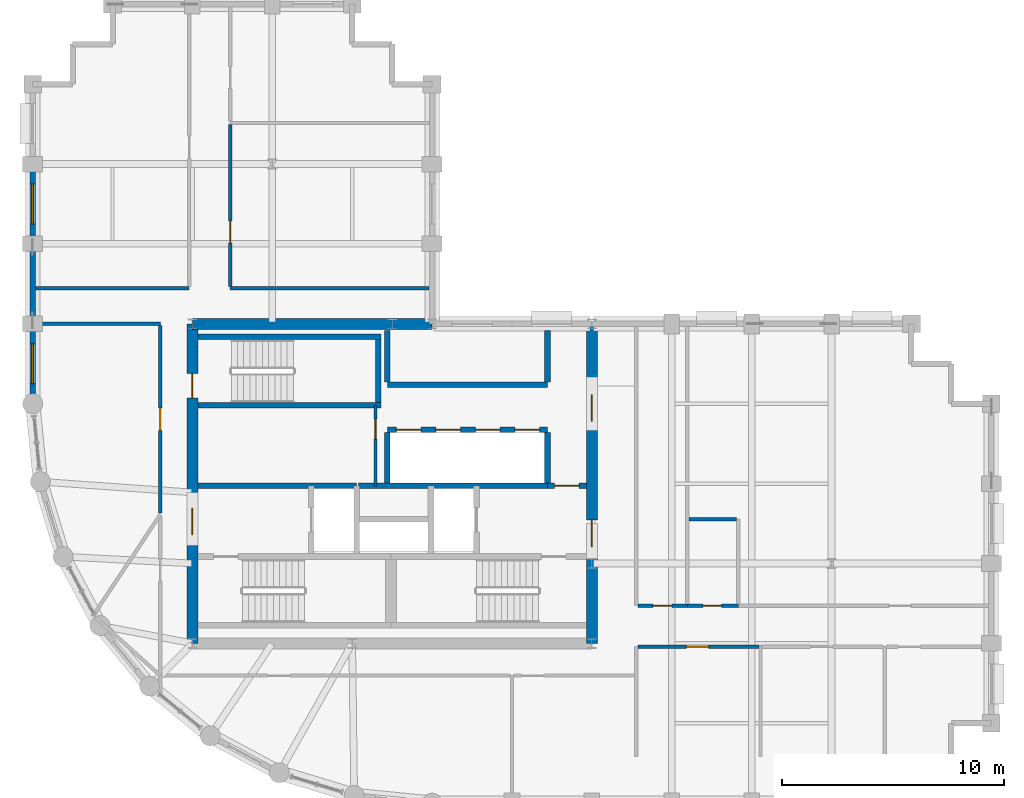
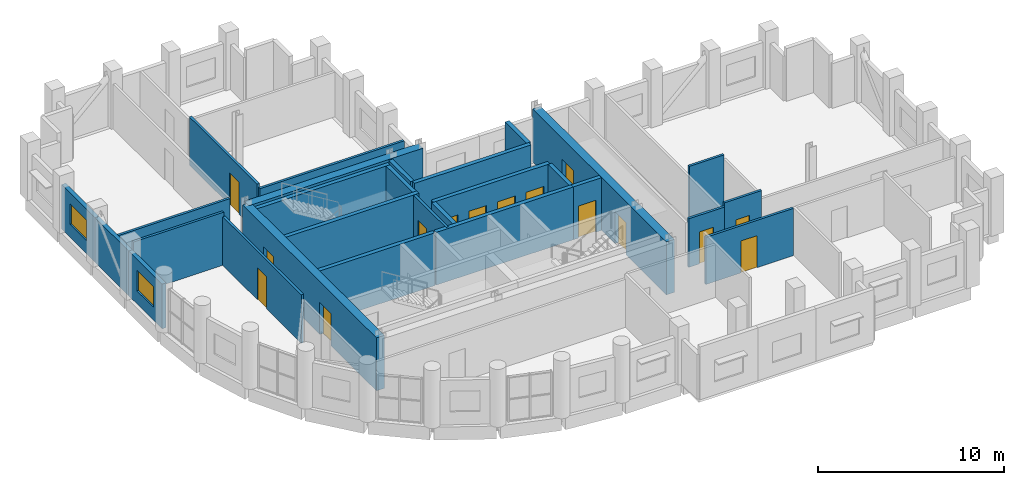
# One storey, part 7 of 11: 28 walls, 15 doors, 2 windows, 17 openings.
"""IFC4 building model written with IfcOpenShell, lengths in metres."""

import ifcopenshell
import ifcopenshell.guid

model = None  # the IFC model being written
_history = None  # IfcOwnerHistory: only IFC2X3 demands one
_inside = {}  # id of a spatial element -> (the spatial element, [elements in it])
_under = {}  # id of a project, library or spatial element -> (it, [spatial elements below it])
_declared = {}  # id of a project -> (the project, [libraries it declares])
_typed = {}  # id of a type object -> (the type object, [elements of that type])
_made_of = {}  # id of a material, layer set ... -> (it, [elements and type objects made of it])


def new_model(schema):
    """Start an empty IFC model of exactly this schema.

    Asked for "IFC4X3", IfcOpenShell would pick the latest addendum, in which some entities
    have other attributes; the version numbers below select the first issue.
    IFC2X3 requires an IfcOwnerHistory on every rooted entity: one is made here for all.
    """
    global model, _history
    if schema == "IFC4X3":
        model = ifcopenshell.file(schema_version=(4, 3, 0, 0))
    else:
        model = ifcopenshell.file(schema=schema)
    _inside.clear()
    _under.clear()
    _declared.clear()
    _typed.clear()
    _made_of.clear()
    _history = None
    if model.schema == "IFC2X3":
        org = make("IfcOrganization", Name="unknown")
        user = make(
            "IfcPersonAndOrganization",
            ThePerson=make("IfcPerson", FamilyName="unknown"),
            TheOrganization=org,
        )
        app = make(
            "IfcApplication",
            ApplicationDeveloper=org,
            Version="unknown",
            ApplicationFullName="unknown",
            ApplicationIdentifier="unknown",
        )
        _history = make(
            "IfcOwnerHistory",
            OwningUser=user,
            OwningApplication=app,
            ChangeAction="ADDED",
            CreationDate=0,
        )
    return model


def make(cls, **values):
    """One entity of the class cls with the attributes given. An attribute that is None is left unset."""
    return model.create_entity(
        cls, **{name: value for name, value in values.items() if value is not None}
    )


def rooted(cls, **values):
    """An entity with a GlobalId (a new one), such as an element, a storey or a relation."""
    return make(cls, GlobalId=ifcopenshell.guid.new(), OwnerHistory=_history, **values)


def si_unit(unit_type, name, prefix=None):
    """IfcSIUnit, for example si_unit("LENGTHUNIT", "METRE", prefix="MILLI")."""
    return make("IfcSIUnit", UnitType=unit_type, Prefix=prefix, Name=name)


def assignment(units):
    """IfcUnitAssignment: the units of a project."""
    return None if units is None else make("IfcUnitAssignment", Units=units)


def point(xyz):
    """IfcCartesianPoint."""
    return None if xyz is None else make("IfcCartesianPoint", Coordinates=xyz)


def direction(xyz):
    """IfcDirection."""
    return None if xyz is None else make("IfcDirection", DirectionRatios=xyz)


def frame(location, z_axis=None, x_axis=None):
    """IfcAxis2Placement3D, a coordinate frame: its origin and axes. An axis left out is left unset."""
    return make(
        "IfcAxis2Placement3D",
        Location=point(location),
        Axis=direction(z_axis),
        RefDirection=direction(x_axis),
    )


def frame_2d(location, x_axis=None):
    """IfcAxis2Placement2D, a coordinate frame in the plane: its origin and x axis."""
    return make(
        "IfcAxis2Placement2D", Location=point(location), RefDirection=direction(x_axis)
    )


def origin():
    """The frame at (0, 0, 0) with its axes left unset."""
    return frame((0.0, 0.0, 0.0))


def place(relative_to, where):
    """IfcLocalPlacement: puts the frame where relative to a parent placement (None: the world)."""
    return make(
        "IfcLocalPlacement", PlacementRelTo=relative_to, RelativePlacement=where
    )


def context(
    kind, dimensions, precision=None, world=None, true_north=None, identifier=None
):
    """IfcGeometricRepresentationContext, for example the 3D "Model" context."""
    return make(
        "IfcGeometricRepresentationContext",
        ContextIdentifier=identifier,
        ContextType=kind,
        CoordinateSpaceDimension=dimensions,
        Precision=precision,
        WorldCoordinateSystem=world,
        TrueNorth=true_north,
    )


def subcontext(parent, identifier, kind, view, scale=None):
    """IfcGeometricRepresentationSubContext, for example "Body" below "Model"."""
    return make(
        "IfcGeometricRepresentationSubContext",
        ContextIdentifier=identifier,
        ContextType=kind,
        ParentContext=parent,
        TargetScale=scale,
        TargetView=view,
    )


def project(units=None, contexts=None):
    """IfcProject with its units and contexts."""
    return rooted(
        "IfcProject",
        Name="project",
        RepresentationContexts=contexts,
        UnitsInContext=assignment(units),
    )


def spatial(cls, under=None, at=None, **own):
    """A site, building, storey or space (cls), placed at a placement, below another one or the project."""
    s = rooted(cls, ObjectPlacement=at, **own)
    if under is not None:
        _under.setdefault(under.id(), (under, []))[1].append(s)
    return s


def profile(cls, at=None, kind="AREA", **sizes):
    """A parametric profile (cls). Its sizes go by their IFC names, for example OverallWidth=200.0."""
    return make(cls, ProfileType=kind, Position=at, **sizes)


def rectangle(**sizes):
    """IfcRectangleProfileDef."""
    return profile("IfcRectangleProfileDef", **sizes)


def extrude(swept, where, along, depth):
    """IfcExtrudedAreaSolid: the profile swept, set in the frame where, extruded along a direction by depth."""
    return make(
        "IfcExtrudedAreaSolid",
        SweptArea=swept,
        Position=where,
        ExtrudedDirection=direction(along),
        Depth=depth,
    )


def shape(context_of_items, identifier, shape_type, items):
    """IfcShapeRepresentation: the items that make up one representation, for example the "Body"."""
    return make(
        "IfcShapeRepresentation",
        ContextOfItems=context_of_items,
        RepresentationIdentifier=identifier,
        RepresentationType=shape_type,
        Items=items,
    )


def material(Name=None, Category=None):
    """IfcMaterial."""
    return make("IfcMaterial", Name=Name, Category=Category)


def layer(
    of_material, thickness, ventilated=None, Name=None, Category=None, Priority=None
):
    """IfcMaterialLayer: one layer of a wall or slab, of a material (None: an air gap)."""
    return make(
        "IfcMaterialLayer",
        Material=of_material,
        LayerThickness=thickness,
        IsVentilated=ventilated,
        Name=Name,
        Category=Category,
        Priority=Priority,
    )


def layer_set(layers, Name=None):
    """IfcMaterialLayerSet."""
    return make("IfcMaterialLayerSet", MaterialLayers=layers, LayerSetName=Name)


def made_of(thing, what):
    """Note that an element or type object is made of a material, layer set ...; save() writes the relation."""
    if what is not None:
        _made_of.setdefault(what.id(), (what, []))[1].append(thing)
    return thing


def type_object(cls, material=None, **own):
    """A type object (cls), such as IfcWallType, which elements share."""
    return made_of(rooted(cls, **own), material)


def element(
    cls,
    number,
    at=None,
    inside=None,
    cuts=None,
    type_object=None,
    material=None,
    context=None,
    identifier="Body",
    shape_type=None,
    held_by="IfcProductDefinitionShape",
    body=None,
    shapes=None,
    **own,
):
    """One element of the class cls, such as IfcWall. Its Tag is "e" and its number.

    at: its placement. inside: the storey or other place that contains it. cuts: it is an
    opening in that element (IfcRelVoidsElement). A single representation is given by context,
    identifier, shape_type and body (its items); several are given by shapes. held_by: the class
    of the entity that holds the representations. save() writes the other relations.
    """
    e = rooted(cls, Tag="e%d" % number, ObjectPlacement=at, **own)
    if body is not None:
        shapes = [shape(context, identifier, shape_type, body)]
    if shapes is not None:
        e.Representation = make(held_by, Representations=shapes)
    if inside is not None:
        _inside.setdefault(inside.id(), (inside, []))[1].append(e)
    if cuts is not None:
        rooted(
            "IfcRelVoidsElement", RelatingBuildingElement=cuts, RelatedOpeningElement=e
        )
    if type_object is not None:
        _typed.setdefault(type_object.id(), (type_object, []))[1].append(e)
    return made_of(e, material)


def fill(opening, filler):
    """IfcRelFillsElement: the door or window that sits in an opening."""
    return rooted(
        "IfcRelFillsElement",
        RelatingOpeningElement=opening,
        RelatedBuildingElement=filler,
    )


def aggregate(whole, parts):
    """IfcRelAggregates: a whole, such as a stair, and the parts it consists of."""
    return rooted("IfcRelAggregates", RelatingObject=whole, RelatedObjects=parts)


def save(model, path):
    """Write the relations noted so far, then the file.

    IfcRelAggregates (storeys below a building ...), IfcRelContainedInSpatialStructure (elements
    in a storey), IfcRelDefinesByType, IfcRelAssociatesMaterial and IfcRelDeclares: one each for
    every whole, place, type object, material and project.
    """
    for whole, parts in _under.values():
        aggregate(whole, parts)
    for where, things in _inside.values():
        rooted(
            "IfcRelContainedInSpatialStructure",
            RelatedElements=things,
            RelatingStructure=where,
        )
    for kind, things in _typed.values():
        rooted("IfcRelDefinesByType", RelatedObjects=things, RelatingType=kind)
    for what, things in _made_of.values():
        rooted("IfcRelAssociatesMaterial", RelatedObjects=things, RelatingMaterial=what)
    for by, libraries in _declared.values():
        rooted("IfcRelDeclares", RelatingContext=by, RelatedDefinitions=libraries)
    model.write(path)


model = new_model("IFC4")

# Units and contexts
model_context = context("Model", 3, precision=1e-05, world=origin(), true_north=direction((0.0, 1.0)))
body_context = subcontext(model_context, "Body", "Model", "MODEL_VIEW")
ifc_project = project(units=[si_unit("LENGTHUNIT", "METRE"), si_unit("AREAUNIT", "SQUARE_METRE"), si_unit("VOLUMEUNIT", "CUBIC_METRE"), si_unit("PLANEANGLEUNIT", "RADIAN"), si_unit("MASSUNIT", "GRAM", prefix="KILO")], contexts=[model_context])

# Site, building, storey
site_placement = place(None, origin())
site = spatial("IfcSite", under=ifc_project, at=site_placement, CompositionType="ELEMENT")
building_placement = place(site_placement, origin())
building = spatial("IfcBuilding", under=site, at=building_placement, Name="Solnavia Interchange Tower", CompositionType="ELEMENT")
storey_placement = place(building_placement, frame((0.0, 0.0, 205.199951171875)))
storey = spatial("IfcBuildingStorey", under=building, at=storey_placement, Name="L51", CompositionType="ELEMENT", Elevation=205.199951171875)

# Wall, opening, window
ifc_material_1 = material(Name="Concrete C40/50", Category="concrete")
ifc_layer_1 = layer(ifc_material_1, 0.25)
ifc_layer_set_1 = layer_set([ifc_layer_1], Name="Concrete C40/50")
wall_type_1 = type_object("IfcWallType", Name="Wall-ExtSpandrel-250", PredefinedType="STANDARD", material=ifc_layer_set_1)
wall_1_placement = place(storey_placement, frame((7.199951171875, 28.800048828125, 0.0), z_axis=(0.0, 0.0, 1.0), x_axis=(0.0, 1.0, 0.0)))
wall_1 = element("IfcWall", 1, at=wall_1_placement, inside=storey, type_object=wall_type_1, Name="EXW-L51-42 Exterior precast spandrel wall", PredefinedType="STANDARD", context=body_context, shape_type="SweptSolid", body=[
    extrude(rectangle(XDim=3.599853515625, YDim=0.25, at=frame_2d((1.7998046875, 0.0))), origin(), (0.0, 0.0, 1.0), 2.929931640625),
])
opening_1_placement = place(wall_1_placement, frame((0.89990234375, 0.0, 0.85009765625)))
opening_1 = element("IfcOpeningElement", 2, at=opening_1_placement, cuts=wall_1, Name="Opening WIN-02", PredefinedType="OPENING", context=body_context, shape_type="SweptSolid", body=[
    extrude(rectangle(XDim=1.800048828125, YDim=1.35009765625, at=frame_2d((0.89990234375, 0.675048828125))), frame((0.0, 0.135009765625, 0.0), z_axis=(0.0, -1.0, 0.0), x_axis=(1.0, 0.0, 0.0)), (0.0, 0.0, 1.0), 0.27001953125),
])
ifc_material_2 = material(Name="Thermal-Break Aluminium & Low-E Glass", Category="aluminium")
window_type = type_object("IfcWindowType", Name="Window-Ribbon-1800x1350", PartitioningType="SINGLE_PANEL", PredefinedType="WINDOW", material=ifc_material_2)
window_1_placement = place(opening_1_placement, origin())
window_1 = element("IfcWindow", 3, at=window_1_placement, inside=storey, type_object=window_type, Name="WIN-L51-42 Facade ribbon window", OverallHeight=1.35009765625, OverallWidth=1.800048828125, PartitioningType="SINGLE_PANEL", PredefinedType="WINDOW", context=body_context, shape_type="SweptSolid", body=[
    extrude(rectangle(XDim=1.800048828125, YDim=1.35009765625, at=frame_2d((0.89990234375, 0.675048828125))), frame((0.0, 0.030029296875, 0.0), z_axis=(0.0, -1.0, 0.0), x_axis=(1.0, 0.0, 0.0)), (0.0, 0.0, 1.0), 0.06005859375),
])
fill(opening_1, window_1)

# Wall
wall_2_placement = place(storey_placement, frame((7.199951171875, 25.199951171875, 0.0), z_axis=(0.0, 0.0, 1.0), x_axis=(0.0, 1.0, 0.0)))
element("IfcWall", 4, at=wall_2_placement, inside=storey, type_object=wall_type_1, Name="EXW-L51-43 Exterior precast spandrel wall", PredefinedType="STANDARD", context=body_context, shape_type="SweptSolid", body=[
    extrude(rectangle(XDim=3.60009765625, YDim=0.25, at=frame_2d((1.800048828125, 0.0))), origin(), (0.0, 0.0, 1.0), 2.929931640625),
])

# Wall, opening, window
wall_3_placement = place(storey_placement, frame((7.199951171875, 21.60009765625, 0.0), z_axis=(0.0, 0.0, 1.0), x_axis=(0.0, 1.0, 0.0)))
wall_3 = element("IfcWall", 5, at=wall_3_placement, inside=storey, type_object=wall_type_1, Name="EXW-L51-44 Exterior precast spandrel wall", PredefinedType="STANDARD", context=body_context, shape_type="SweptSolid", body=[
    extrude(rectangle(XDim=3.599853515625, YDim=0.25, at=frame_2d((1.7998046875, 0.0))), origin(), (0.0, 0.0, 1.0), 2.929931640625),
])
opening_2_placement = place(wall_3_placement, frame((0.89990234375, 0.0, 0.85009765625)))
opening_2 = element("IfcOpeningElement", 6, at=opening_2_placement, cuts=wall_3, Name="Opening WIN-02", PredefinedType="OPENING", context=body_context, shape_type="SweptSolid", body=[
    extrude(rectangle(XDim=1.800048828125, YDim=1.35009765625, at=frame_2d((0.89990234375, 0.675048828125))), frame((0.0, 0.135009765625, 0.0), z_axis=(0.0, -1.0, 0.0), x_axis=(1.0, 0.0, 0.0)), (0.0, 0.0, 1.0), 0.27001953125),
])
window_2_placement = place(opening_2_placement, origin())
window_2 = element("IfcWindow", 7, at=window_2_placement, inside=storey, type_object=window_type, Name="WIN-L51-44 Facade ribbon window", OverallHeight=1.35009765625, OverallWidth=1.800048828125, PartitioningType="SINGLE_PANEL", PredefinedType="WINDOW", context=body_context, shape_type="SweptSolid", body=[
    extrude(rectangle(XDim=1.800048828125, YDim=1.35009765625, at=frame_2d((0.89990234375, 0.675048828125))), frame((0.0, 0.030029296875, 0.0), z_axis=(0.0, -1.0, 0.0), x_axis=(1.0, 0.0, 0.0)), (0.0, 0.0, 1.0), 0.06005859375),
])
fill(opening_2, window_2)

# Wall, opening, door
ifc_material_3 = material(Name="Gypsum Plasterboard & Steel Stud", Category="steel")
ifc_layer_2 = layer(ifc_material_3, 0.14990234375)
ifc_layer_set_2 = layer_set([ifc_layer_2], Name="Gypsum Plasterboard & Steel Stud")
wall_type_2 = type_object("IfcWallType", Name="Wall-Partition-150", PredefinedType="PARTITIONING", material=ifc_layer_set_2)
wall_4_placement = place(storey_placement, frame((22.64990234375, 17.89990234375, 0.0), z_axis=(0.0, 0.0, 1.0), x_axis=(0.0, 1.0, 0.0)))
wall_4 = element("IfcWall", 8, at=wall_4_placement, inside=storey, type_object=wall_type_2, Name="CSW-L51-E Core shaft wall", PredefinedType="PARTITIONING", context=body_context, shape_type="SweptSolid", body=[
    extrude(rectangle(XDim=3.625, YDim=0.14990234375, at=frame_2d((1.8125, 0.0))), origin(), (0.0, 0.0, 1.0), 3.465087890625),
])
opening_3_placement = place(wall_4_placement, frame((2.10009765625, 0.0, 0.0)))
opening_3 = element("IfcOpeningElement", 9, at=opening_3_placement, cuts=wall_4, Name="Opening DR-09", PredefinedType="OPENING", context=body_context, shape_type="SweptSolid", body=[
    extrude(rectangle(XDim=0.89990234375, YDim=2.10009765625, at=frame_2d((0.449951171875, 1.050048828125))), frame((0.0, 0.0849609375, 0.0), z_axis=(0.0, -1.0, 0.0), x_axis=(1.0, 0.0, 0.0)), (0.0, 0.0, 1.0), 0.169921875),
])
ifc_material_4 = material(Name="Engineered Oak Veneer Door", Category="wood")
door_type_1 = type_object("IfcDoorType", Name="Door-Internal-900x2100", OperationType="SINGLE_SWING_LEFT", PredefinedType="DOOR", material=ifc_material_4)
door_1_placement = place(opening_3_placement, origin())
door_1 = element("IfcDoor", 10, at=door_1_placement, inside=storey, type_object=door_type_1, Name="DR-L51-CS1 Core fire door", OperationType="SINGLE_SWING_LEFT", OverallHeight=2.10009765625, OverallWidth=0.89990234375, PredefinedType="DOOR", context=body_context, shape_type="SweptSolid", body=[
    extrude(rectangle(XDim=0.89990234375, YDim=2.10009765625, at=frame_2d((0.449951171875, 1.050048828125))), frame((0.0, 0.02490234375, 0.0), z_axis=(0.0, -1.0, 0.0), x_axis=(1.0, 0.0, 0.0)), (0.0, 0.0, 1.0), 0.050048828125),
])
fill(opening_3, door_1)

# Wall
wall_5_placement = place(storey_placement, frame((7.3291015625, 25.199951171875, 0.0), z_axis=(0.0, 0.0, 1.0), x_axis=(1.0, 0.0, 0.0)))
element("IfcWall", 11, at=wall_5_placement, inside=storey, type_object=wall_type_2, Name="PTW-L51-07 Interior partition wall", PredefinedType="PARTITIONING", context=body_context, shape_type="SweptSolid", body=[
    extrude(rectangle(XDim=5.620849609375, YDim=0.14990234375, at=frame_2d((2.810546875, 0.0))), origin(), (0.0, 0.0, 1.0), 3.465087890625),
])

# Wall, opening, door
wall_6_placement = place(storey_placement, frame((12.949951171875, 16.678955078125, 0.0), z_axis=(0.0, 0.0, 1.0), x_axis=(0.0, 1.0, 0.0)))
wall_6 = element("IfcWall", 12, at=wall_6_placement, inside=storey, type_object=wall_type_2, Name="PTW-L51-11 Interior partition wall", PredefinedType="PARTITIONING", context=body_context, shape_type="SweptSolid", body=[
    extrude(rectangle(XDim=8.442138671875, YDim=0.14990234375, at=frame_2d((4.22119140625, 0.0))), origin(), (0.0, 0.0, 1.0), 3.18994140625),
])
opening_4_placement = place(wall_6_placement, frame((3.720947265625, 0.0, 0.0)))
opening_4 = element("IfcOpeningElement", 13, at=opening_4_placement, cuts=wall_6, Name="Opening DR-07", PredefinedType="OPENING", context=body_context, shape_type="SweptSolid", body=[
    extrude(rectangle(XDim=1.0, YDim=2.10009765625, at=frame_2d((0.5, 1.050048828125))), frame((0.0, 0.0849609375, 0.0), z_axis=(0.0, -1.0, 0.0), x_axis=(1.0, 0.0, 0.0)), (0.0, 0.0, 1.0), 0.169921875),
])
ifc_material_5 = material(Name="Timber & Acoustic Glazed Office Door", Category="wood")
door_type_2 = type_object("IfcDoorType", Name="Door-Office-1000x2100", OperationType="SINGLE_SWING_RIGHT", PredefinedType="DOOR", material=ifc_material_5)
door_2_placement = place(opening_4_placement, origin())
door_2 = element("IfcDoor", 14, at=door_2_placement, inside=storey, type_object=door_type_2, Name="DR-L51-03 Interior room door", OperationType="SINGLE_SWING_LEFT", OverallHeight=2.10009765625, OverallWidth=1.0, PredefinedType="DOOR", context=body_context, shape_type="SweptSolid", body=[
    extrude(rectangle(XDim=1.0, YDim=2.10009765625, at=frame_2d((0.5, 1.050048828125))), frame((0.0, 0.02490234375, 0.0), z_axis=(0.0, -1.0, 0.0), x_axis=(1.0, 0.0, 0.0)), (0.0, 0.0, 1.0), 0.050048828125),
])
fill(opening_4, door_2)

wall_7_placement = place(storey_placement, frame((34.47900390625, 10.64990234375, 0.0), z_axis=(0.0, 0.0, 1.0), x_axis=(1.0, 0.0, 0.0)))
wall_7 = element("IfcWall", 15, at=wall_7_placement, inside=storey, type_object=wall_type_2, Name="PTW-L51-17 Interior partition wall", PredefinedType="PARTITIONING", context=body_context, shape_type="SweptSolid", body=[
    extrude(rectangle(XDim=5.44189453125, YDim=0.14990234375, at=frame_2d((2.720947265625, 0.0))), origin(), (0.0, 0.0, 1.0), 3.10009765625),
])
opening_5_placement = place(wall_7_placement, frame((2.180908203125, 0.0, 0.0)))
opening_5 = element("IfcOpeningElement", 16, at=opening_5_placement, cuts=wall_7, Name="Opening DR-07", PredefinedType="OPENING", context=body_context, shape_type="SweptSolid", body=[
    extrude(rectangle(XDim=1.0, YDim=2.10009765625, at=frame_2d((0.5, 1.050048828125))), frame((0.0, 0.0849609375, 0.0), z_axis=(0.0, -1.0, 0.0), x_axis=(1.0, 0.0, 0.0)), (0.0, 0.0, 1.0), 0.169921875),
])
door_3_placement = place(opening_5_placement, origin())
door_3 = element("IfcDoor", 17, at=door_3_placement, inside=storey, type_object=door_type_2, Name="DR-L51-07 Interior room door", OperationType="SINGLE_SWING_LEFT", OverallHeight=2.10009765625, OverallWidth=1.0, PredefinedType="DOOR", context=body_context, shape_type="SweptSolid", body=[
    extrude(rectangle(XDim=1.0, YDim=2.10009765625, at=frame_2d((0.5, 1.050048828125))), frame((0.0, 0.02490234375, 0.0), z_axis=(0.0, -1.0, 0.0), x_axis=(1.0, 0.0, 0.0)), (0.0, 0.0, 1.0), 0.050048828125),
])
fill(opening_5, door_3)

# Walls
wall_8_placement = place(storey_placement, frame((7.3291015625, 26.800048828125, 0.0), z_axis=(0.0, 0.0, 1.0), x_axis=(1.0, 0.0, 0.0)))
element("IfcWall", 18, at=wall_8_placement, inside=storey, type_object=wall_type_2, Name="PTW-L51-22 Interior partition wall", PredefinedType="PARTITIONING", context=body_context, shape_type="SweptSolid", body=[
    extrude(rectangle(XDim=6.9208984375, YDim=0.14990234375, at=frame_2d((3.46044921875, 0.0))), origin(), (0.0, 0.0, 1.0), 2.929931640625),
])
wall_9_placement = place(storey_placement, frame((16.10009765625, 26.800048828125, 0.0), z_axis=(0.0, 0.0, 1.0), x_axis=(1.0, 0.0, 0.0)))
element("IfcWall", 19, at=wall_9_placement, inside=storey, type_object=wall_type_2, Name="PTW-L51-24 Interior partition wall", PredefinedType="PARTITIONING", context=body_context, shape_type="SweptSolid", body=[
    extrude(rectangle(XDim=8.970947265625, YDim=0.14990234375, at=frame_2d((4.4853515625, 0.0))), origin(), (0.0, 0.0, 1.0), 2.929931640625),
])

# Wall, opening, door
wall_10_placement = place(storey_placement, frame((16.10009765625, 26.87890625, 0.0), z_axis=(0.0, 0.0, 1.0), x_axis=(0.0, 1.0, 0.0)))
wall_10 = element("IfcWall", 20, at=wall_10_placement, inside=storey, type_object=wall_type_2, Name="PTW-L51-26 Interior partition wall", PredefinedType="PARTITIONING", context=body_context, shape_type="SweptSolid", body=[
    extrude(rectangle(XDim=7.2919921875, YDim=0.14990234375, at=frame_2d((3.64599609375, 0.0))), origin(), (0.0, 0.0, 1.0), 3.16015625),
])
opening_6_placement = place(wall_10_placement, frame((1.951904296875, 0.0, 0.0)))
opening_6 = element("IfcOpeningElement", 21, at=opening_6_placement, cuts=wall_10, Name="Opening DR-07", PredefinedType="OPENING", context=body_context, shape_type="SweptSolid", body=[
    extrude(rectangle(XDim=1.0, YDim=2.10009765625, at=frame_2d((0.5, 1.050048828125))), frame((0.0, 0.0849609375, 0.0), z_axis=(0.0, -1.0, 0.0), x_axis=(1.0, 0.0, 0.0)), (0.0, 0.0, 1.0), 0.169921875),
])
door_4_placement = place(opening_6_placement, origin())
door_4 = element("IfcDoor", 22, at=door_4_placement, inside=storey, type_object=door_type_2, Name="DR-L51-12 Interior room door", OperationType="SINGLE_SWING_LEFT", OverallHeight=2.10009765625, OverallWidth=1.0, PredefinedType="DOOR", context=body_context, shape_type="SweptSolid", body=[
    extrude(rectangle(XDim=1.0, YDim=2.10009765625, at=frame_2d((0.5, 1.050048828125))), frame((0.0, 0.02490234375, 0.0), z_axis=(0.0, -1.0, 0.0), x_axis=(1.0, 0.0, 0.0)), (0.0, 0.0, 1.0), 0.050048828125),
])
fill(opening_6, door_4)

# Walls
ifc_layer_3 = layer(ifc_material_1, 0.25)
ifc_layer_set_3 = layer_set([ifc_layer_3], Name="Concrete C40/50")
wall_type_3 = type_object("IfcWallType", Name="Wall-ShaftCore-250", PredefinedType="SHEAR", material=ifc_layer_set_3)
for number, where, z_axis, x_axis, name in (
    (23, (14.64990234375, 21.52490234375, 0.0), (0.0, 0.0, 1.0), (1.0, 0.0, 0.0), "SHW-L51-ST3S Core shear wall"),
    (24, (14.64990234375, 24.614990234375, 0.0), (0.0, 0.0, 1.0), (1.0, 0.0, 0.0), "SHW-L51-ST3N Core shear wall"),
):
    element("IfcWall", number, at=place(storey_placement, frame(where, z_axis=z_axis, x_axis=x_axis)), inside=storey, type_object=wall_type_3, Name=name, PredefinedType="SHEAR", context=body_context, shape_type="SweptSolid", body=[
        extrude(rectangle(XDim=8.25, YDim=0.25, at=frame_2d((4.125, 0.0))), origin(), (0.0, 0.0, 1.0), 3.47998046875),
    ])
wall_11_placement = place(storey_placement, frame((22.77490234375, 21.64990234375, 0.0), z_axis=(0.0, 0.0, 1.0), x_axis=(0.0, 1.0, 0.0)))
element("IfcWall", 25, at=wall_11_placement, inside=storey, type_object=wall_type_3, Name="SHW-L51-ST3E Core shear wall", PredefinedType="SHEAR", context=body_context, shape_type="SweptSolid", body=[
    extrude(rectangle(XDim=2.840087890625, YDim=0.25, at=frame_2d((1.419921875, 0.0))), origin(), (0.0, 0.0, 1.0), 3.47998046875),
])
ifc_layer_4 = layer(ifc_material_1, 0.25)
ifc_layer_set_4 = layer_set([ifc_layer_4], Name="Concrete C40/50")
wall_type_4 = type_object("IfcWallType", Name="Wall-ShaftPart-250", PredefinedType="PARTITIONING", material=ifc_layer_set_4)
wall_12_placement = place(storey_placement, frame((14.64990234375, 17.89990234375, 0.0), z_axis=(0.0, 0.0, 1.0), x_axis=(1.0, 0.0, 0.0)))
element("IfcWall", 26, at=wall_12_placement, inside=storey, type_object=wall_type_4, Name="SHW-L51-FFLW-N Core shaft wall", PredefinedType="PARTITIONING", context=body_context, shape_type="SweptSolid", body=[
    extrude(rectangle(XDim=7.150146484375, YDim=0.25, at=frame_2d((3.5751953125, 0.0))), origin(), (0.0, 0.0, 1.0), 3.465087890625),
])
wall_13_placement = place(storey_placement, frame((21.8798828125, 17.89990234375, 0.0), z_axis=(0.0, 0.0, 1.0), x_axis=(1.0, 0.0, 0.0)))
element("IfcWall", 27, at=wall_13_placement, inside=storey, type_object=wall_type_4, Name="SHW-L51-FFLE-N1 Core shaft wall", PredefinedType="PARTITIONING", context=body_context, shape_type="SweptSolid", body=[
    extrude(rectangle(XDim=8.52001953125, YDim=0.25, at=frame_2d((4.260009765625, 0.0))), origin(), (0.0, 0.0, 1.0), 3.465087890625),
])

# Wall, opening, door
wall_14_placement = place(storey_placement, frame((30.39990234375, 17.89990234375, 0.0), z_axis=(0.0, 0.0, 1.0), x_axis=(1.0, 0.0, 0.0)))
wall_14 = element("IfcWall", 28, at=wall_14_placement, inside=storey, type_object=wall_type_4, Name="SHW-L51-FFLE-N2 Core shaft wall", PredefinedType="PARTITIONING", context=body_context, shape_type="SweptSolid", body=[
    extrude(rectangle(XDim=1.75, YDim=0.25, at=frame_2d((0.875, 0.0))), origin(), (0.0, 0.0, 1.0), 3.465087890625),
])
opening_7_placement = place(wall_14_placement, frame((0.320068359375, 0.0, 0.0)))
opening_7 = element("IfcOpeningElement", 29, at=opening_7_placement, cuts=wall_14, Name="Opening DR-01", PredefinedType="OPENING", context=body_context, shape_type="SweptSolid", body=[
    extrude(rectangle(XDim=1.10009765625, YDim=2.10009765625, at=frame_2d((0.550048828125, 1.050048828125))), frame((0.0, 0.135009765625, 0.0), z_axis=(0.0, -1.0, 0.0), x_axis=(1.0, 0.0, 0.0)), (0.0, 0.0, 1.0), 0.27001953125),
])
ifc_material_6 = material(Name="Steel Fire-Rated Leaf & Frame", Category="steel")
door_type_3 = type_object("IfcDoorType", Name="Door-StairFire-1100x2100", OperationType="SINGLE_SWING_LEFT", PredefinedType="DOOR", material=ifc_material_6)
door_5_placement = place(opening_7_placement, origin())
door_5 = element("IfcDoor", 30, at=door_5_placement, inside=storey, type_object=door_type_3, Name="DR-L51-LLC Core fire door", OperationType="SINGLE_SWING_LEFT", OverallHeight=2.10009765625, OverallWidth=1.10009765625, PredefinedType="DOOR", context=body_context, shape_type="SweptSolid", body=[
    extrude(rectangle(XDim=1.10009765625, YDim=2.10009765625, at=frame_2d((0.550048828125, 1.050048828125))), frame((0.0, 0.02490234375, 0.0), z_axis=(0.0, -1.0, 0.0), x_axis=(1.0, 0.0, 0.0)), (0.0, 0.0, 1.0), 0.050048828125),
])
fill(opening_7, door_5)

# Wall, openings, doors
wall_15_placement = place(storey_placement, frame((23.179931640625, 20.419921875, 0.0), z_axis=(0.0, 0.0, 1.0), x_axis=(1.0, 0.0, 0.0)))
wall_15 = element("IfcWall", 31, at=wall_15_placement, inside=storey, type_object=wall_type_4, Name="SHW-L51-B2N Core shaft wall", PredefinedType="PARTITIONING", context=body_context, shape_type="SweptSolid", body=[
    extrude(rectangle(XDim=7.219970703125, YDim=0.25, at=frame_2d((3.60986328125, 0.0))), origin(), (0.0, 0.0, 1.0), 3.465087890625),
])
opening_8_placement = place(wall_15_placement, frame((0.409912109375, 0.0, 0.0)))
opening_8 = element("IfcOpeningElement", 32, at=opening_8_placement, cuts=wall_15, Name="Opening LD-01", PredefinedType="OPENING", context=body_context, shape_type="SweptSolid", body=[
    extrude(rectangle(XDim=1.10009765625, YDim=2.10009765625, at=frame_2d((0.550048828125, 1.050048828125))), frame((0.0, 0.135009765625, 0.0), z_axis=(0.0, -1.0, 0.0), x_axis=(1.0, 0.0, 0.0)), (0.0, 0.0, 1.0), 0.27001953125),
])
opening_9_placement = place(wall_15_placement, frame((2.18994140625, 0.0, 0.0)))
opening_9 = element("IfcOpeningElement", 33, at=opening_9_placement, cuts=wall_15, Name="Opening LD-01", PredefinedType="OPENING", context=body_context, shape_type="SweptSolid", body=[
    extrude(rectangle(XDim=1.10009765625, YDim=2.10009765625, at=frame_2d((0.550048828125, 1.050048828125))), frame((0.0, 0.135009765625, 0.0), z_axis=(0.0, -1.0, 0.0), x_axis=(1.0, 0.0, 0.0)), (0.0, 0.0, 1.0), 0.27001953125),
])
opening_10_placement = place(wall_15_placement, frame((3.969970703125, 0.0, 0.0)))
opening_10 = element("IfcOpeningElement", 34, at=opening_10_placement, cuts=wall_15, Name="Opening LD-01", PredefinedType="OPENING", context=body_context, shape_type="SweptSolid", body=[
    extrude(rectangle(XDim=1.10009765625, YDim=2.10009765625, at=frame_2d((0.550048828125, 1.050048828125))), frame((0.0, 0.135009765625, 0.0), z_axis=(0.0, -1.0, 0.0), x_axis=(1.0, 0.0, 0.0)), (0.0, 0.0, 1.0), 0.27001953125),
])
opening_11_placement = place(wall_15_placement, frame((5.75, 0.0, 0.0)))
opening_11 = element("IfcOpeningElement", 35, at=opening_11_placement, cuts=wall_15, Name="Opening LD-01", PredefinedType="OPENING", context=body_context, shape_type="SweptSolid", body=[
    extrude(rectangle(XDim=1.10009765625, YDim=2.10009765625, at=frame_2d((0.550048828125, 1.050048828125))), frame((0.0, 0.135009765625, 0.0), z_axis=(0.0, -1.0, 0.0), x_axis=(1.0, 0.0, 0.0)), (0.0, 0.0, 1.0), 0.27001953125),
])
ifc_material_7 = material(Name="Brushed Stainless Steel Sliding Door", Category="steel")
door_type_4 = type_object("IfcDoorType", Name="Door-LiftLanding-1100x2100", OperationType="SLIDING_TO_LEFT", PredefinedType="DOOR", material=ifc_material_7)
door_6_placement = place(opening_8_placement, origin())
door_6 = element("IfcDoor", 36, at=door_6_placement, inside=storey, type_object=door_type_4, Name="LD-L51-B2-1 Lift landing sliding door", OperationType="SLIDING_TO_LEFT", OverallHeight=2.10009765625, OverallWidth=1.10009765625, PredefinedType="DOOR", context=body_context, shape_type="SweptSolid", body=[
    extrude(rectangle(XDim=1.10009765625, YDim=2.10009765625, at=frame_2d((0.550048828125, 1.050048828125))), frame((0.0, 0.02490234375, 0.0), z_axis=(0.0, -1.0, 0.0), x_axis=(1.0, 0.0, 0.0)), (0.0, 0.0, 1.0), 0.050048828125),
])
fill(opening_8, door_6)
door_7_placement = place(opening_9_placement, origin())
door_7 = element("IfcDoor", 37, at=door_7_placement, inside=storey, type_object=door_type_4, Name="LD-L51-B2-2 Lift landing sliding door", OperationType="SLIDING_TO_LEFT", OverallHeight=2.10009765625, OverallWidth=1.10009765625, PredefinedType="DOOR", context=body_context, shape_type="SweptSolid", body=[
    extrude(rectangle(XDim=1.10009765625, YDim=2.10009765625, at=frame_2d((0.550048828125, 1.050048828125))), frame((0.0, 0.02490234375, 0.0), z_axis=(0.0, -1.0, 0.0), x_axis=(1.0, 0.0, 0.0)), (0.0, 0.0, 1.0), 0.050048828125),
])
fill(opening_9, door_7)
door_8_placement = place(opening_10_placement, origin())
door_8 = element("IfcDoor", 38, at=door_8_placement, inside=storey, type_object=door_type_4, Name="LD-L51-B2-3 Lift landing sliding door", OperationType="SLIDING_TO_LEFT", OverallHeight=2.10009765625, OverallWidth=1.10009765625, PredefinedType="DOOR", context=body_context, shape_type="SweptSolid", body=[
    extrude(rectangle(XDim=1.10009765625, YDim=2.10009765625, at=frame_2d((0.550048828125, 1.050048828125))), frame((0.0, 0.02490234375, 0.0), z_axis=(0.0, -1.0, 0.0), x_axis=(1.0, 0.0, 0.0)), (0.0, 0.0, 1.0), 0.050048828125),
])
fill(opening_10, door_8)
door_9_placement = place(opening_11_placement, origin())
door_9 = element("IfcDoor", 39, at=door_9_placement, inside=storey, type_object=door_type_4, Name="LD-L51-B2-4 Lift landing sliding door", OperationType="SLIDING_TO_LEFT", OverallHeight=2.10009765625, OverallWidth=1.10009765625, PredefinedType="DOOR", context=body_context, shape_type="SweptSolid", body=[
    extrude(rectangle(XDim=1.10009765625, YDim=2.10009765625, at=frame_2d((0.550048828125, 1.050048828125))), frame((0.0, 0.02490234375, 0.0), z_axis=(0.0, -1.0, 0.0), x_axis=(1.0, 0.0, 0.0)), (0.0, 0.0, 1.0), 0.050048828125),
])
fill(opening_11, door_9)

# Walls
for number, where, z_axis, x_axis, name in (
    (40, (23.179931640625, 18.02490234375, 0.0), (0.0, 0.0, 1.0), (0.0, 1.0, 0.0), "SHW-L51-B2W Core shaft wall"),
    (41, (30.39990234375, 18.02490234375, 0.0), (0.0, 0.0, 1.0), (0.0, 1.0, 0.0), "SHW-L51-B2E Core shaft wall"),
):
    element("IfcWall", number, at=place(storey_placement, frame(where, z_axis=z_axis, x_axis=x_axis)), inside=storey, type_object=wall_type_4, Name=name, PredefinedType="PARTITIONING", context=body_context, shape_type="SweptSolid", body=[
        extrude(rectangle(XDim=2.27001953125, YDim=0.25, at=frame_2d((1.135009765625, 0.0))), origin(), (0.0, 0.0, 1.0), 3.465087890625),
    ])
wall_16_placement = place(storey_placement, frame((23.179931640625, 22.4599609375, 0.0), z_axis=(0.0, 0.0, 1.0), x_axis=(1.0, 0.0, 0.0)))
element("IfcWall", 42, at=wall_16_placement, inside=storey, type_object=wall_type_4, Name="SHW-L51-B3S Core shaft wall", PredefinedType="PARTITIONING", context=body_context, shape_type="SweptSolid", body=[
    extrude(rectangle(XDim=7.219970703125, YDim=0.25, at=frame_2d((3.60986328125, 0.0))), origin(), (0.0, 0.0, 1.0), 3.465087890625),
])
for number, where, z_axis, x_axis, name in (
    (43, (23.179931640625, 22.5849609375, 0.0), (0.0, 0.0, 1.0), (0.0, 1.0, 0.0), "SHW-L51-B3W Core shaft wall"),
    (44, (30.39990234375, 22.5849609375, 0.0), (0.0, 0.0, 1.0), (0.0, 1.0, 0.0), "SHW-L51-B3E Core shaft wall"),
):
    element("IfcWall", number, at=place(storey_placement, frame(where, z_axis=z_axis, x_axis=x_axis)), inside=storey, type_object=wall_type_4, Name=name, PredefinedType="PARTITIONING", context=body_context, shape_type="SweptSolid", body=[
        extrude(rectangle(XDim=2.31494140625, YDim=0.25, at=frame_2d((1.157470703125, 0.0))), origin(), (0.0, 0.0, 1.0), 3.465087890625),
    ])
ifc_material_8 = material(Name="Concrete C60/75", Category="concrete")
ifc_layer_5 = layer(ifc_material_8, 0.5)
ifc_layer_set_5 = layer_set([ifc_layer_5], Name="Concrete C60/75")
wall_type_5 = type_object("IfcWallType", Name="Wall-ShearCore-500", PredefinedType="SHEAR", material=ifc_layer_set_5)
wall_17_placement = place(storey_placement, frame((14.39990234375, 25.199951171875, 0.0), z_axis=(0.0, 0.0, 1.0), x_axis=(1.0, 0.0, 0.0)))
element("IfcWall", 45, at=wall_17_placement, inside=storey, type_object=wall_type_5, Name="CRW-L51-N Core shear wall", PredefinedType="SHEAR", context=body_context, shape_type="SweptSolid", body=[
    extrude(rectangle(XDim=10.800048828125, YDim=0.5, at=frame_2d((5.39990234375, 0.0))), origin(), (0.0, 0.0, 1.0), 3.47998046875),
])

# Wall, openings, doors
wall_18_placement = place(storey_placement, frame((14.39990234375, 10.800048828125, 0.0), z_axis=(0.0, 0.0, 1.0), x_axis=(0.0, 1.0, 0.0)))
wall_18 = element("IfcWall", 46, at=wall_18_placement, inside=storey, type_object=wall_type_5, Name="CRW-L51-W Core shear wall", PredefinedType="SHEAR", context=body_context, shape_type="SweptSolid", body=[
    extrude(rectangle(XDim=14.39990234375, YDim=0.5, at=frame_2d((7.199951171875, 0.0))), origin(), (0.0, 0.0, 1.0), 3.47998046875),
])
opening_12_placement = place(wall_18_placement, frame((11.050048828125, 0.0, 0.0)))
opening_12 = element("IfcOpeningElement", 47, at=opening_12_placement, cuts=wall_18, Name="Opening DR-01", PredefinedType="OPENING", context=body_context, shape_type="SweptSolid", body=[
    extrude(rectangle(XDim=1.10009765625, YDim=2.10009765625, at=frame_2d((0.550048828125, 1.050048828125))), frame((0.0, 0.260009765625, 0.0), z_axis=(0.0, -1.0, 0.0), x_axis=(1.0, 0.0, 0.0)), (0.0, 0.0, 1.0), 0.52001953125),
])
opening_13_placement = place(wall_18_placement, frame((4.89990234375, 0.0, 0.0)))
opening_13 = element("IfcOpeningElement", 48, at=opening_13_placement, cuts=wall_18, Name="Opening DR-02", PredefinedType="OPENING", context=body_context, shape_type="SweptSolid", body=[
    extrude(rectangle(XDim=1.199951171875, YDim=2.10009765625, at=frame_2d((0.60009765625, 1.050048828125))), frame((0.0, 0.260009765625, 0.0), z_axis=(0.0, -1.0, 0.0), x_axis=(1.0, 0.0, 0.0)), (0.0, 0.0, 1.0), 0.52001953125),
])
ifc_material_9 = material(Name="Steel Fire-Rated Vision-Panel Door", Category="steel")
door_type_5 = type_object("IfcDoorType", Name="Door-LobbyFire-1200x2100", OperationType="SINGLE_SWING_RIGHT", PredefinedType="DOOR", material=ifc_material_9)
door_10_placement = place(opening_13_placement, origin())
door_10 = element("IfcDoor", 49, at=door_10_placement, inside=storey, type_object=door_type_5, Name="DR-L51-FFL1W Core fire door", OperationType="SINGLE_SWING_RIGHT", OverallHeight=2.10009765625, OverallWidth=1.199951171875, PredefinedType="DOOR", context=body_context, shape_type="SweptSolid", body=[
    extrude(rectangle(XDim=1.199951171875, YDim=2.10009765625, at=frame_2d((0.60009765625, 1.050048828125))), frame((0.0, 0.02490234375, 0.0), z_axis=(0.0, -1.0, 0.0), x_axis=(1.0, 0.0, 0.0)), (0.0, 0.0, 1.0), 0.050048828125),
])
fill(opening_13, door_10)
door_11_placement = place(opening_12_placement, origin())
door_11 = element("IfcDoor", 50, at=door_11_placement, inside=storey, type_object=door_type_3, Name="DR-L51-ST3 Core fire door", OperationType="SINGLE_SWING_RIGHT", OverallHeight=2.10009765625, OverallWidth=1.10009765625, PredefinedType="DOOR", context=body_context, shape_type="SweptSolid", body=[
    extrude(rectangle(XDim=1.10009765625, YDim=2.10009765625, at=frame_2d((0.550048828125, 1.050048828125))), frame((0.0, 0.02490234375, 0.0), z_axis=(0.0, -1.0, 0.0), x_axis=(1.0, 0.0, 0.0)), (0.0, 0.0, 1.0), 0.050048828125),
])
fill(opening_12, door_11)

wall_19_placement = place(storey_placement, frame((32.39990234375, 10.800048828125, 0.0), z_axis=(0.0, 0.0, 1.0), x_axis=(0.0, 1.0, 0.0)))
wall_19 = element("IfcWall", 51, at=wall_19_placement, inside=storey, type_object=wall_type_5, Name="CRW-L51-E Core shear wall", PredefinedType="SHEAR", context=body_context, shape_type="SweptSolid", body=[
    extrude(rectangle(XDim=14.39990234375, YDim=0.5, at=frame_2d((7.199951171875, 0.0))), origin(), (0.0, 0.0, 1.0), 3.47998046875),
])
opening_14_placement = place(wall_19_placement, frame((4.35009765625, 0.0, 0.0)))
opening_14 = element("IfcOpeningElement", 52, at=opening_14_placement, cuts=wall_19, Name="Opening DR-02", PredefinedType="OPENING", context=body_context, shape_type="SweptSolid", body=[
    extrude(rectangle(XDim=1.199951171875, YDim=2.10009765625, at=frame_2d((0.60009765625, 1.050048828125))), frame((0.0, 0.260009765625, 0.0), z_axis=(0.0, -1.0, 0.0), x_axis=(1.0, 0.0, 0.0)), (0.0, 0.0, 1.0), 0.52001953125),
])
opening_15_placement = place(wall_19_placement, frame((10.0, 0.0, 0.0)))
opening_15 = element("IfcOpeningElement", 53, at=opening_15_placement, cuts=wall_19, Name="Opening DR-02", PredefinedType="OPENING", context=body_context, shape_type="SweptSolid", body=[
    extrude(rectangle(XDim=1.199951171875, YDim=2.10009765625, at=frame_2d((0.60009765625, 1.050048828125))), frame((0.0, 0.260009765625, 0.0), z_axis=(0.0, -1.0, 0.0), x_axis=(1.0, 0.0, 0.0)), (0.0, 0.0, 1.0), 0.52001953125),
])
door_12_placement = place(opening_14_placement, origin())
door_12 = element("IfcDoor", 54, at=door_12_placement, inside=storey, type_object=door_type_5, Name="DR-L51-FFL2E Core fire door", OperationType="SINGLE_SWING_LEFT", OverallHeight=2.10009765625, OverallWidth=1.199951171875, PredefinedType="DOOR", context=body_context, shape_type="SweptSolid", body=[
    extrude(rectangle(XDim=1.199951171875, YDim=2.10009765625, at=frame_2d((0.60009765625, 1.050048828125))), frame((0.0, 0.02490234375, 0.0), z_axis=(0.0, -1.0, 0.0), x_axis=(1.0, 0.0, 0.0)), (0.0, 0.0, 1.0), 0.050048828125),
])
fill(opening_14, door_12)
door_13_placement = place(opening_15_placement, origin())
door_13 = element("IfcDoor", 55, at=door_13_placement, inside=storey, type_object=door_type_5, Name="DR-L51-LLE Core fire door", OperationType="SINGLE_SWING_RIGHT", OverallHeight=2.10009765625, OverallWidth=1.199951171875, PredefinedType="DOOR", context=body_context, shape_type="SweptSolid", body=[
    extrude(rectangle(XDim=1.199951171875, YDim=2.10009765625, at=frame_2d((0.60009765625, 1.050048828125))), frame((0.0, 0.02490234375, 0.0), z_axis=(0.0, -1.0, 0.0), x_axis=(1.0, 0.0, 0.0)), (0.0, 0.0, 1.0), 0.050048828125),
])
fill(opening_15, door_13)

# Wall, opening, door
ifc_material_10 = material(Name="Moisture-Resistant Gypsum & Steel Stud", Category="steel")
ifc_layer_6 = layer(ifc_material_10, 0.14990234375)
ifc_layer_set_6 = layer_set([ifc_layer_6], Name="Moisture-Resistant Gypsum & Steel Stud")
wall_type_6 = type_object("IfcWallType", Name="Wall-WetRoom-150", PredefinedType="PARTITIONING", material=ifc_layer_set_6)
wall_20_placement = place(storey_placement, frame((34.47900390625, 12.5, 0.0), z_axis=(0.0, 0.0, 1.0), x_axis=(1.0, 0.0, 0.0)))
wall_20 = element("IfcWall", 56, at=wall_20_placement, inside=storey, type_object=wall_type_6, Name="PTW-L51-02 Interior partition wall", PredefinedType="PARTITIONING", context=body_context, shape_type="SweptSolid", body=[
    extrude(rectangle(XDim=2.220947265625, YDim=0.14990234375, at=frame_2d((1.1103515625, 0.0))), origin(), (0.0, 0.0, 1.0), 3.18994140625),
])
opening_16_placement = place(wall_20_placement, frame((0.674072265625, 0.0, 0.0)))
opening_16 = element("IfcOpeningElement", 57, at=opening_16_placement, cuts=wall_20, Name="Opening DR-10", PredefinedType="OPENING", context=body_context, shape_type="SweptSolid", body=[
    extrude(rectangle(XDim=0.85009765625, YDim=2.10009765625, at=frame_2d((0.425048828125, 1.050048828125))), frame((0.0, 0.0849609375, 0.0), z_axis=(0.0, -1.0, 0.0), x_axis=(1.0, 0.0, 0.0)), (0.0, 0.0, 1.0), 0.169921875),
])
ifc_material_11 = material(Name="Moisture-Resistant Timber Door", Category="wood")
door_type_6 = type_object("IfcDoorType", Name="Door-Bathroom-850x2100", OperationType="SINGLE_SWING_RIGHT", PredefinedType="DOOR", material=ifc_material_11)
door_14_placement = place(opening_16_placement, origin())
door_14 = element("IfcDoor", 58, at=door_14_placement, inside=storey, type_object=door_type_6, Name="DR-L51-01 Interior room door", OperationType="SINGLE_SWING_RIGHT", OverallHeight=2.10009765625, OverallWidth=0.85009765625, PredefinedType="DOOR", context=body_context, shape_type="SweptSolid", body=[
    extrude(rectangle(XDim=0.85009765625, YDim=2.10009765625, at=frame_2d((0.425048828125, 1.050048828125))), frame((0.0, 0.02490234375, 0.0), z_axis=(0.0, -1.0, 0.0), x_axis=(1.0, 0.0, 0.0)), (0.0, 0.0, 1.0), 0.050048828125),
])
fill(opening_16, door_14)

wall_21_placement = place(storey_placement, frame((36.699951171875, 12.5, 0.0), z_axis=(0.0, 0.0, 1.0), x_axis=(1.0, 0.0, 0.0)))
wall_21 = element("IfcWall", 59, at=wall_21_placement, inside=storey, type_object=wall_type_6, Name="PTW-L51-04 Interior partition wall", PredefinedType="PARTITIONING", context=body_context, shape_type="SweptSolid", body=[
    extrude(rectangle(XDim=2.300048828125, YDim=0.14990234375, at=frame_2d((1.14990234375, 0.0))), origin(), (0.0, 0.0, 1.0), 3.465087890625),
])
opening_17_placement = place(wall_21_placement, frame((0.697021484375, 0.0, 0.0)))
opening_17 = element("IfcOpeningElement", 60, at=opening_17_placement, cuts=wall_21, Name="Opening DR-10", PredefinedType="OPENING", context=body_context, shape_type="SweptSolid", body=[
    extrude(rectangle(XDim=0.85009765625, YDim=2.10009765625, at=frame_2d((0.425048828125, 1.050048828125))), frame((0.0, 0.0849609375, 0.0), z_axis=(0.0, -1.0, 0.0), x_axis=(1.0, 0.0, 0.0)), (0.0, 0.0, 1.0), 0.169921875),
])
door_15_placement = place(opening_17_placement, origin())
door_15 = element("IfcDoor", 61, at=door_15_placement, inside=storey, type_object=door_type_6, Name="DR-L51-02 Interior room door", OperationType="SINGLE_SWING_RIGHT", OverallHeight=2.10009765625, OverallWidth=0.85009765625, PredefinedType="DOOR", context=body_context, shape_type="SweptSolid", body=[
    extrude(rectangle(XDim=0.85009765625, YDim=2.10009765625, at=frame_2d((0.425048828125, 1.050048828125))), frame((0.0, 0.02490234375, 0.0), z_axis=(0.0, -1.0, 0.0), x_axis=(1.0, 0.0, 0.0)), (0.0, 0.0, 1.0), 0.050048828125),
])
fill(opening_17, door_15)

# Wall
wall_22_placement = place(storey_placement, frame((36.779052734375, 16.39990234375, 0.0), z_axis=(0.0, 0.0, 1.0), x_axis=(1.0, 0.0, 0.0)))
element("IfcWall", 62, at=wall_22_placement, inside=storey, type_object=wall_type_6, Name="PTW-L51-06 Interior partition wall", PredefinedType="PARTITIONING", context=body_context, shape_type="SweptSolid", body=[
    extrude(rectangle(XDim=2.141845703125, YDim=0.14990234375, at=frame_2d((1.07080078125, 0.0))), origin(), (0.0, 0.0, 1.0), 3.465087890625),
])

save(model, "model.ifc")
